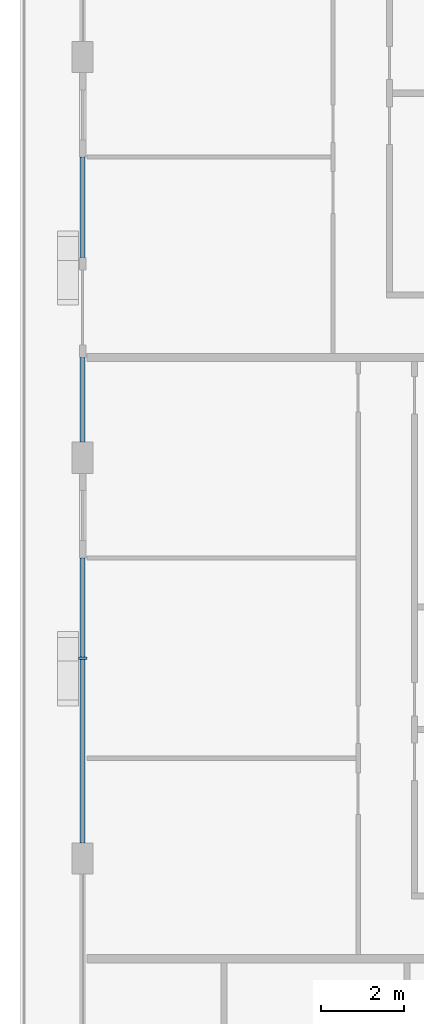
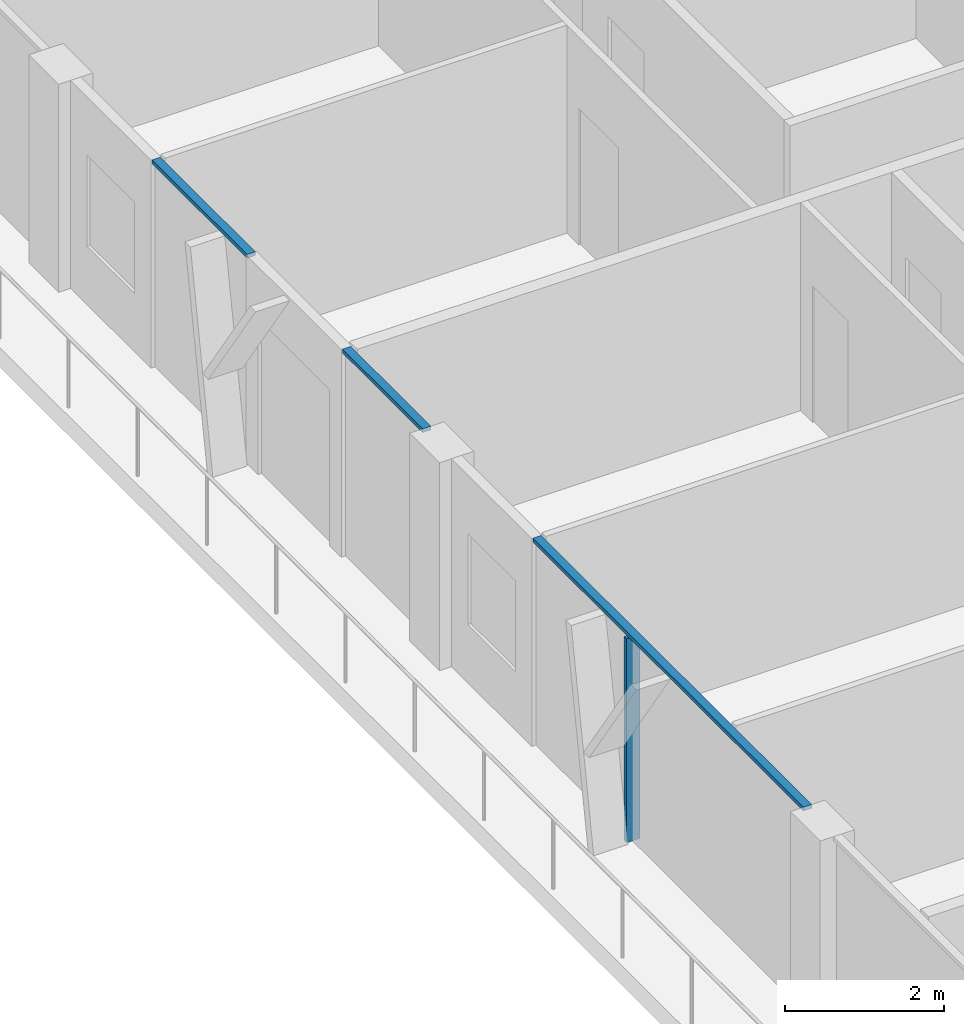
# One storey, part 3 of 21: 4 members, 2 elements without a shape of their own.
"""IFC4 building model written with IfcOpenShell, lengths in metres."""

import ifcopenshell
import ifcopenshell.guid

model = None  # the IFC model being written
_history = None  # IfcOwnerHistory: only IFC2X3 demands one
_inside = {}  # id of a spatial element -> (the spatial element, [elements in it])
_under = {}  # id of a project, library or spatial element -> (it, [spatial elements below it])
_declared = {}  # id of a project -> (the project, [libraries it declares])
_typed = {}  # id of a type object -> (the type object, [elements of that type])
_made_of = {}  # id of a material, layer set ... -> (it, [elements and type objects made of it])


def new_model(schema):
    """Start an empty IFC model of exactly this schema.

    Asked for "IFC4X3", IfcOpenShell would pick the latest addendum, in which some entities
    have other attributes; the version numbers below select the first issue.
    IFC2X3 requires an IfcOwnerHistory on every rooted entity: one is made here for all.
    """
    global model, _history
    if schema == "IFC4X3":
        model = ifcopenshell.file(schema_version=(4, 3, 0, 0))
    else:
        model = ifcopenshell.file(schema=schema)
    _inside.clear()
    _under.clear()
    _declared.clear()
    _typed.clear()
    _made_of.clear()
    _history = None
    if model.schema == "IFC2X3":
        org = make("IfcOrganization", Name="unknown")
        user = make(
            "IfcPersonAndOrganization",
            ThePerson=make("IfcPerson", FamilyName="unknown"),
            TheOrganization=org,
        )
        app = make(
            "IfcApplication",
            ApplicationDeveloper=org,
            Version="unknown",
            ApplicationFullName="unknown",
            ApplicationIdentifier="unknown",
        )
        _history = make(
            "IfcOwnerHistory",
            OwningUser=user,
            OwningApplication=app,
            ChangeAction="ADDED",
            CreationDate=0,
        )
    return model


def make(cls, **values):
    """One entity of the class cls with the attributes given. An attribute that is None is left unset."""
    return model.create_entity(
        cls, **{name: value for name, value in values.items() if value is not None}
    )


def rooted(cls, **values):
    """An entity with a GlobalId (a new one), such as an element, a storey or a relation."""
    return make(cls, GlobalId=ifcopenshell.guid.new(), OwnerHistory=_history, **values)


def si_unit(unit_type, name, prefix=None):
    """IfcSIUnit, for example si_unit("LENGTHUNIT", "METRE", prefix="MILLI")."""
    return make("IfcSIUnit", UnitType=unit_type, Prefix=prefix, Name=name)


def assignment(units):
    """IfcUnitAssignment: the units of a project."""
    return None if units is None else make("IfcUnitAssignment", Units=units)


def point(xyz):
    """IfcCartesianPoint."""
    return None if xyz is None else make("IfcCartesianPoint", Coordinates=xyz)


def direction(xyz):
    """IfcDirection."""
    return None if xyz is None else make("IfcDirection", DirectionRatios=xyz)


def frame(location, z_axis=None, x_axis=None):
    """IfcAxis2Placement3D, a coordinate frame: its origin and axes. An axis left out is left unset."""
    return make(
        "IfcAxis2Placement3D",
        Location=point(location),
        Axis=direction(z_axis),
        RefDirection=direction(x_axis),
    )


def frame_2d(location, x_axis=None):
    """IfcAxis2Placement2D, a coordinate frame in the plane: its origin and x axis."""
    return make(
        "IfcAxis2Placement2D", Location=point(location), RefDirection=direction(x_axis)
    )


def origin():
    """The frame at (0, 0, 0) with its axes left unset."""
    return frame((0.0, 0.0, 0.0))


def origin_2d():
    """The frame at (0, 0) in the plane with its x axis left unset."""
    return frame_2d((0.0, 0.0))


def place(relative_to, where):
    """IfcLocalPlacement: puts the frame where relative to a parent placement (None: the world)."""
    return make(
        "IfcLocalPlacement", PlacementRelTo=relative_to, RelativePlacement=where
    )


def context(
    kind, dimensions, precision=None, world=None, true_north=None, identifier=None
):
    """IfcGeometricRepresentationContext, for example the 3D "Model" context."""
    return make(
        "IfcGeometricRepresentationContext",
        ContextIdentifier=identifier,
        ContextType=kind,
        CoordinateSpaceDimension=dimensions,
        Precision=precision,
        WorldCoordinateSystem=world,
        TrueNorth=true_north,
    )


def subcontext(parent, identifier, kind, view, scale=None):
    """IfcGeometricRepresentationSubContext, for example "Body" below "Model"."""
    return make(
        "IfcGeometricRepresentationSubContext",
        ContextIdentifier=identifier,
        ContextType=kind,
        ParentContext=parent,
        TargetScale=scale,
        TargetView=view,
    )


def project(units=None, contexts=None):
    """IfcProject with its units and contexts."""
    return rooted(
        "IfcProject",
        Name="project",
        RepresentationContexts=contexts,
        UnitsInContext=assignment(units),
    )


def spatial(cls, under=None, at=None, **own):
    """A site, building, storey or space (cls), placed at a placement, below another one or the project."""
    s = rooted(cls, ObjectPlacement=at, **own)
    if under is not None:
        _under.setdefault(under.id(), (under, []))[1].append(s)
    return s


def profile(cls, at=None, kind="AREA", **sizes):
    """A parametric profile (cls). Its sizes go by their IFC names, for example OverallWidth=200.0."""
    return make(cls, ProfileType=kind, Position=at, **sizes)


def rectangle(**sizes):
    """IfcRectangleProfileDef."""
    return profile("IfcRectangleProfileDef", **sizes)


def extrude(swept, where, along, depth):
    """IfcExtrudedAreaSolid: the profile swept, set in the frame where, extruded along a direction by depth."""
    return make(
        "IfcExtrudedAreaSolid",
        SweptArea=swept,
        Position=where,
        ExtrudedDirection=direction(along),
        Depth=depth,
    )


def shape(context_of_items, identifier, shape_type, items):
    """IfcShapeRepresentation: the items that make up one representation, for example the "Body"."""
    return make(
        "IfcShapeRepresentation",
        ContextOfItems=context_of_items,
        RepresentationIdentifier=identifier,
        RepresentationType=shape_type,
        Items=items,
    )


def material(Name=None, Category=None):
    """IfcMaterial."""
    return make("IfcMaterial", Name=Name, Category=Category)


def layer(
    of_material, thickness, ventilated=None, Name=None, Category=None, Priority=None
):
    """IfcMaterialLayer: one layer of a wall or slab, of a material (None: an air gap)."""
    return make(
        "IfcMaterialLayer",
        Material=of_material,
        LayerThickness=thickness,
        IsVentilated=ventilated,
        Name=Name,
        Category=Category,
        Priority=Priority,
    )


def layer_set(layers, Name=None):
    """IfcMaterialLayerSet."""
    return make("IfcMaterialLayerSet", MaterialLayers=layers, LayerSetName=Name)


def material_profile(
    of_material, cross_section, Name=None, Category=None, Priority=None
):
    """IfcMaterialProfile: a cross section and its material."""
    return make(
        "IfcMaterialProfile",
        Name=Name,
        Material=of_material,
        Profile=cross_section,
        Priority=Priority,
        Category=Category,
    )


def profile_set(profiles, Name=None, composite=None):
    """IfcMaterialProfileSet."""
    return make(
        "IfcMaterialProfileSet",
        Name=Name,
        MaterialProfiles=profiles,
        CompositeProfile=composite,
    )


def made_of(thing, what):
    """Note that an element or type object is made of a material, layer set ...; save() writes the relation."""
    if what is not None:
        _made_of.setdefault(what.id(), (what, []))[1].append(thing)
    return thing


def type_object(cls, material=None, **own):
    """A type object (cls), such as IfcWallType, which elements share."""
    return made_of(rooted(cls, **own), material)


def element(
    cls,
    number,
    at=None,
    inside=None,
    cuts=None,
    type_object=None,
    material=None,
    context=None,
    identifier="Body",
    shape_type=None,
    held_by="IfcProductDefinitionShape",
    body=None,
    shapes=None,
    **own,
):
    """One element of the class cls, such as IfcWall. Its Tag is "e" and its number.

    at: its placement. inside: the storey or other place that contains it. cuts: it is an
    opening in that element (IfcRelVoidsElement). A single representation is given by context,
    identifier, shape_type and body (its items); several are given by shapes. held_by: the class
    of the entity that holds the representations. save() writes the other relations.
    """
    e = rooted(cls, Tag="e%d" % number, ObjectPlacement=at, **own)
    if body is not None:
        shapes = [shape(context, identifier, shape_type, body)]
    if shapes is not None:
        e.Representation = make(held_by, Representations=shapes)
    if inside is not None:
        _inside.setdefault(inside.id(), (inside, []))[1].append(e)
    if cuts is not None:
        rooted(
            "IfcRelVoidsElement", RelatingBuildingElement=cuts, RelatedOpeningElement=e
        )
    if type_object is not None:
        _typed.setdefault(type_object.id(), (type_object, []))[1].append(e)
    return made_of(e, material)


def aggregate(whole, parts):
    """IfcRelAggregates: a whole, such as a stair, and the parts it consists of."""
    return rooted("IfcRelAggregates", RelatingObject=whole, RelatedObjects=parts)


def save(model, path):
    """Write the relations noted so far, then the file.

    IfcRelAggregates (storeys below a building ...), IfcRelContainedInSpatialStructure (elements
    in a storey), IfcRelDefinesByType, IfcRelAssociatesMaterial and IfcRelDeclares: one each for
    every whole, place, type object, material and project.
    """
    for whole, parts in _under.values():
        aggregate(whole, parts)
    for where, things in _inside.values():
        rooted(
            "IfcRelContainedInSpatialStructure",
            RelatedElements=things,
            RelatingStructure=where,
        )
    for kind, things in _typed.values():
        rooted("IfcRelDefinesByType", RelatedObjects=things, RelatingType=kind)
    for what, things in _made_of.values():
        rooted("IfcRelAssociatesMaterial", RelatedObjects=things, RelatingMaterial=what)
    for by, libraries in _declared.values():
        rooted("IfcRelDeclares", RelatingContext=by, RelatedDefinitions=libraries)
    model.write(path)


model = new_model("IFC4")

# Units and contexts
model_context = context("Model", 3, precision=1e-05, world=origin(), true_north=direction((0.0, 1.0)))
body_context = subcontext(model_context, "Body", "Model", "MODEL_VIEW")
ifc_project = project(units=[si_unit("LENGTHUNIT", "METRE"), si_unit("AREAUNIT", "SQUARE_METRE"), si_unit("VOLUMEUNIT", "CUBIC_METRE"), si_unit("PLANEANGLEUNIT", "RADIAN"), si_unit("MASSUNIT", "GRAM", prefix="KILO")], contexts=[model_context])

# Site, building, storey
site_placement = place(None, origin())
site = spatial("IfcSite", under=ifc_project, at=site_placement, CompositionType="ELEMENT")
building_placement = place(site_placement, origin())
building = spatial("IfcBuilding", under=site, at=building_placement, Name="Madar Terraces", CompositionType="ELEMENT")
storey_placement = place(building_placement, frame((0.0, 0.0, 275.60009765625)))
storey = spatial("IfcBuildingStorey", under=building, at=storey_placement, Name="L72", CompositionType="ELEMENT", Elevation=275.60009765625)

# Curtain wall, member
ifc_material_1 = material(Name="Glass, ceramic frit dark grey, with black aluminium frame", Category="aluminium")
ifc_layer = layer(ifc_material_1, 0.199951171875)
ifc_layer_set = layer_set([ifc_layer], Name="Facade curtain wall, fritted glass")
curtain_wall_type = type_object("IfcCurtainWallType", Name="Facade curtain wall, fritted glass", PredefinedType="NOTDEFINED", material=ifc_layer_set)
curtain_wall_1_placement = place(storey_placement, origin())
curtain_wall_1 = element("IfcCurtainWall", 1, at=curtain_wall_1_placement, inside=storey, type_object=curtain_wall_type, Name="Outer skin curtain wall west bay 3", PredefinedType="NOTDEFINED")
ifc_material_2 = material(Name="Aluminium, black anodised", Category="aluminium")
ifc_material_profile_1 = material_profile(ifc_material_2, rectangle(XDim=0.199951171875, YDim=0.06005859375, at=origin_2d()), Name="Facade mullion 60x200")
ifc_profile_set_1 = profile_set([ifc_material_profile_1], Name="Aluminium, black anodised")
member_type_1 = type_object("IfcMemberType", Name="Facade mullion 60x200", PredefinedType="MULLION", material=ifc_profile_set_1)
member_1_placement = place(storey_placement, frame((0.0, 19.199951171875, 0.0), z_axis=(0.0, 0.0, 1.0), x_axis=(1.0, 0.0, 0.0)))
member_1 = element("IfcMember", 2, at=member_1_placement, type_object=member_type_1, Name="Mullion 1", PredefinedType="MULLION", context=body_context, shape_type="SweptSolid", body=[
    extrude(rectangle(XDim=0.199951171875, YDim=0.06005859375, at=origin_2d()), origin(), (0.0, 0.0, 1.0), 3.139892578125),
])

# Curtain wall, members
curtain_wall_2_placement = place(storey_placement, origin())
curtain_wall_2 = element("IfcCurtainWall", 3, at=curtain_wall_2_placement, inside=storey, type_object=curtain_wall_type, Name="Outer skin curtain wall west bay 2", PredefinedType="NOTDEFINED")
ifc_material_3 = material(Name="Aluminium, black anodised", Category="aluminium")
ifc_material_profile_2 = material_profile(ifc_material_3, rectangle(XDim=0.1201171875, YDim=0.06005859375, at=origin_2d()), Name="Facade transom 60x120")
ifc_profile_set_2 = profile_set([ifc_material_profile_2], Name="Aluminium, black anodised")
member_type_2 = type_object("IfcMemberType", Name="Facade transom 60x120", PredefinedType="USERDEFINED", material=ifc_profile_set_2)
member_2_placement = place(storey_placement, frame((0.0, 31.199951171875, 3.169921875), z_axis=(0.0, -1.0, 0.0), x_axis=(1.0, 0.0, 0.0)))
member_2 = element("IfcMember", 4, at=member_2_placement, type_object=member_type_2, Name="Transom 1", ObjectType="TRANSOM", PredefinedType="USERDEFINED", context=body_context, shape_type="SweptSolid", body=[
    extrude(rectangle(XDim=0.1201171875, YDim=0.06005859375, at=origin_2d()), origin(), (0.0, 0.0, 1.0), 2.39990234375),
])
member_3_placement = place(storey_placement, frame((0.0, 26.39990234375, 3.169921875), z_axis=(0.0, -1.0, 0.0), x_axis=(1.0, 0.0, 0.0)))
member_3 = element("IfcMember", 5, at=member_3_placement, type_object=member_type_2, Name="Transom 2", ObjectType="TRANSOM", PredefinedType="USERDEFINED", context=body_context, shape_type="SweptSolid", body=[
    extrude(rectangle(XDim=0.1201171875, YDim=0.06005859375, at=origin_2d()), origin(), (0.0, 0.0, 1.0), 2.02490234375),
])
aggregate(curtain_wall_2, [member_2, member_3])

# Member
member_4_placement = place(storey_placement, frame((0.0, 21.60009765625, 3.169921875), z_axis=(0.0, -1.0, 0.0), x_axis=(1.0, 0.0, 0.0)))
member_4 = element("IfcMember", 6, at=member_4_placement, type_object=member_type_2, Name="Transom 1", ObjectType="TRANSOM", PredefinedType="USERDEFINED", context=body_context, shape_type="SweptSolid", body=[
    extrude(rectangle(XDim=0.1201171875, YDim=0.06005859375, at=origin_2d()), origin(), (0.0, 0.0, 1.0), 6.8251953125),
])

aggregate(curtain_wall_1, [member_1, member_4])

save(model, "model.ifc")
